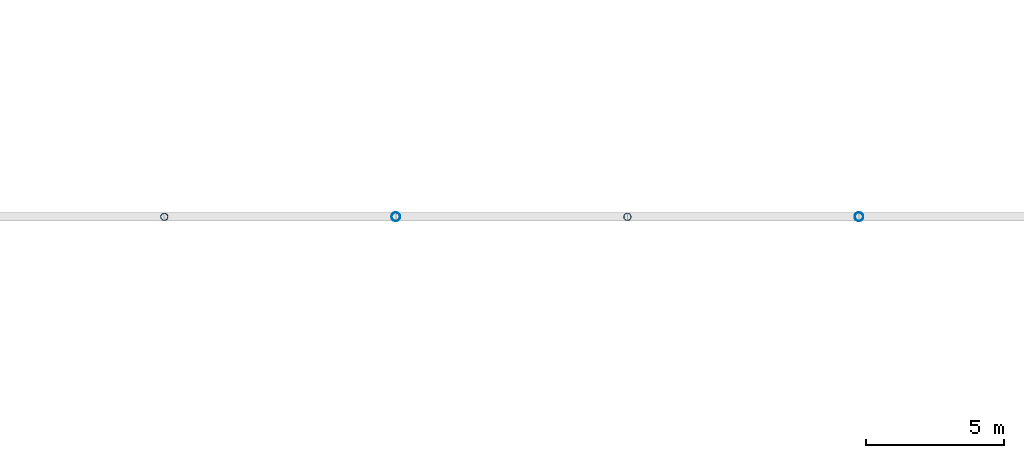
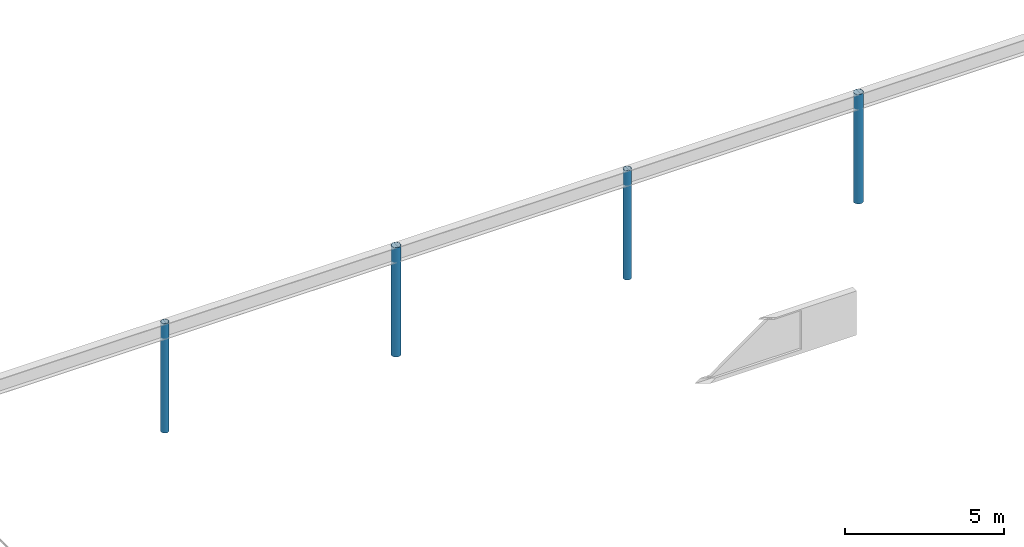
# One storey, part 15 of 218: 4 columns.
"""IFC4 building model written with IfcOpenShell, lengths in metres."""

from ifc_helpers import new_model, si_unit, direction, frame, origin, origin_2d, place, context, subcontext, project, spatial, hollow_circle, extrude, material, material_profile, profile_set, type_object, element, save


model = new_model("IFC4")

# Units and contexts
model_context = context("Model", 3, precision=1e-05, world=origin(), true_north=direction((0.0, 1.0)))
body_context = subcontext(model_context, "Body", "Model", "MODEL_VIEW")
ifc_project = project(units=[si_unit("LENGTHUNIT", "METRE"), si_unit("AREAUNIT", "SQUARE_METRE"), si_unit("VOLUMEUNIT", "CUBIC_METRE"), si_unit("PLANEANGLEUNIT", "RADIAN"), si_unit("MASSUNIT", "GRAM", prefix="KILO")], contexts=[model_context])

# Site, building, storey
site_placement = place(None, origin())
site = spatial("IfcSite", under=ifc_project, at=site_placement, CompositionType="ELEMENT")
building_placement = place(site_placement, origin())
building = spatial("IfcBuilding", under=site, at=building_placement, Name="Kazenagashi Tramway Depot", CompositionType="ELEMENT")
storey_placement = place(building_placement, frame((0.0, 0.0, 6.0)))
storey = spatial("IfcBuildingStorey", under=building, at=storey_placement, Name="L02", CompositionType="ELEMENT", Elevation=6.0)

# Columns
ifc_material = material(Name="Steel STK490", Category="steel")
ifc_material_profile_1 = material_profile(ifc_material, hollow_circle(Radius=0.1337, WallThickness=0.0093, at=origin_2d()), Name="CHS-267.4x9.3")
ifc_profile_set_1 = profile_set([ifc_material_profile_1], Name="Steel STK490")
column_type_1 = type_object("IfcColumnType", Name="C-14", PredefinedType="COLUMN", material=ifc_profile_set_1)
for number, where, z_axis, x_axis, name in (
    (1, (70.0, 100.0, 0.0), (0.0, 0.0, 1.0), (1.0, 0.0, 0.0), "Column C-14 COL-0022"),
    (2, (86.8, 100.0, 0.0), (0.0, 0.0, 1.0), (1.0, 0.0, 0.0), "Column C-14 COL-0034"),
):
    element("IfcColumn", number, at=place(storey_placement, frame(where, z_axis=z_axis, x_axis=x_axis)), inside=storey, type_object=column_type_1, Name=name, PredefinedType="COLUMN", context=body_context, shape_type="SweptSolid", body=[
        extrude(hollow_circle(Radius=0.1337, WallThickness=0.0093, at=origin_2d()), origin(), (0.0, 0.0, 1.0), 4.2),
    ])
ifc_material_profile_2 = material_profile(ifc_material, hollow_circle(Radius=0.15925, WallThickness=0.0103, at=origin_2d()), Name="CHS-318.5x10.3")
ifc_profile_set_2 = profile_set([ifc_material_profile_2], Name="Steel STK490")
column_type_2 = type_object("IfcColumnType", Name="C-18", PredefinedType="COLUMN", material=ifc_profile_set_2)
for number, where, z_axis, x_axis, name in (
    (3, (78.4, 100.0, 0.0), (0.0, 0.0, 1.0), (1.0, 0.0, 0.0), "Column C-18 COL-0028"),
    (4, (95.2, 100.0, 0.0), (0.0, 0.0, 1.0), (1.0, 0.0, 0.0), "Column C-18 COL-0040"),
):
    element("IfcColumn", number, at=place(storey_placement, frame(where, z_axis=z_axis, x_axis=x_axis)), inside=storey, type_object=column_type_2, Name=name, PredefinedType="COLUMN", context=body_context, shape_type="SweptSolid", body=[
        extrude(hollow_circle(Radius=0.15925, WallThickness=0.0103, at=origin_2d()), origin(), (0.0, 0.0, 1.0), 4.2),
    ])

save(model, "model.ifc")
